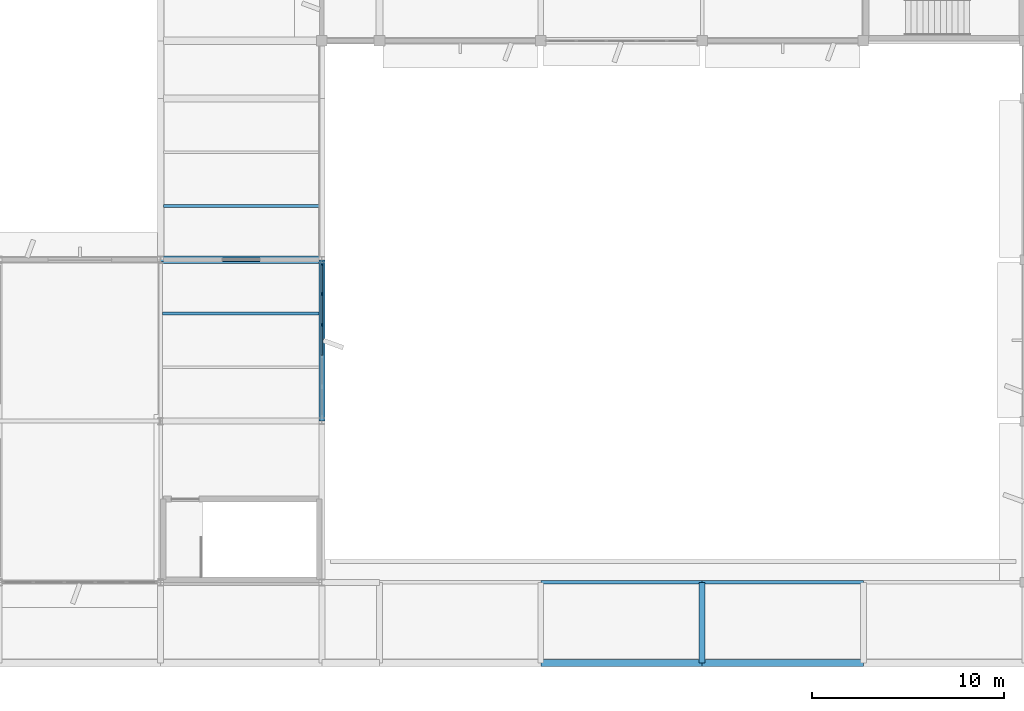
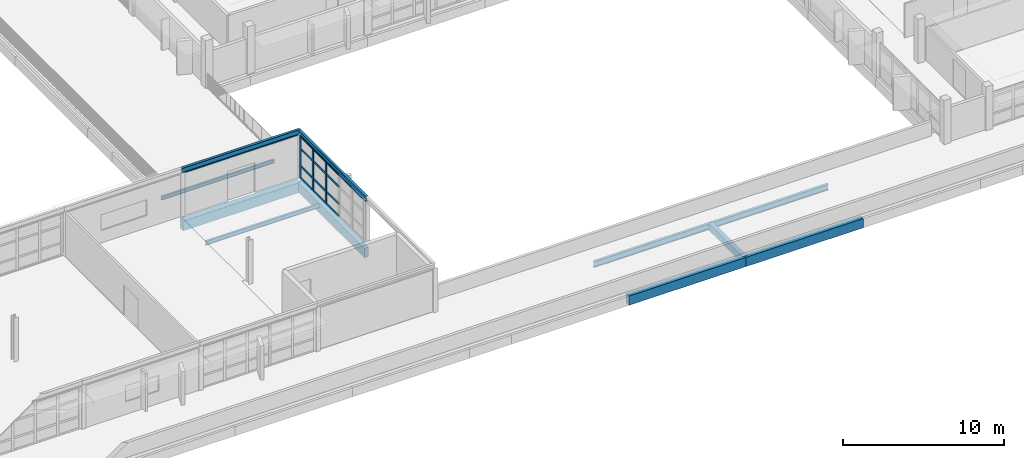
# One storey, part 8 of 92: 15 members, 11 beams, 1 element without a shape of its own.
"""IFC4 building model written with IfcOpenShell, lengths in metres."""

from ifc_helpers import new_model, si_unit, direction, frame, origin, origin_2d, place, context, subcontext, project, spatial, rectangle, i_section, extrude, material, material_profile, profile_set, type_object, element, aggregate, save


model = new_model("IFC4")

# Units and contexts
model_context = context("Model", 3, precision=1e-05, world=origin(), true_north=direction((0.0, 1.0)))
body_context = subcontext(model_context, "Body", "Model", "MODEL_VIEW")
ifc_project = project(units=[si_unit("LENGTHUNIT", "METRE"), si_unit("AREAUNIT", "SQUARE_METRE"), si_unit("VOLUMEUNIT", "CUBIC_METRE"), si_unit("PLANEANGLEUNIT", "RADIAN"), si_unit("MASSUNIT", "GRAM", prefix="KILO")], contexts=[model_context])

# Site, building, storey
site_placement = place(None, origin())
site = spatial("IfcSite", under=ifc_project, at=site_placement, CompositionType="ELEMENT")
building_placement = place(site_placement, origin())
building = spatial("IfcBuilding", under=site, at=building_placement, Name="Vanh Quang Courtyard School", CompositionType="ELEMENT")
storey_placement = place(building_placement, frame((0.0, 0.0, 7.800048828125)))
storey = spatial("IfcBuildingStorey", under=building, at=storey_placement, Name="L02", CompositionType="ELEMENT", Elevation=7.800048828125)

# Beams
ifc_material_1 = material(Name="Concrete C35/45", Category="concrete")
ifc_material_profile_1 = material_profile(ifc_material_1, rectangle(XDim=0.300048828125, YDim=0.550048828125, at=origin_2d()), Name="RC-BM 300x550")
ifc_profile_set_1 = profile_set([ifc_material_profile_1], Name="Concrete C35/45")
beam_type_1 = type_object("IfcBeamType", Name="BM-RC-300x550", PredefinedType="BEAM", material=ifc_profile_set_1)
beam_1_placement = place(storey_placement, frame((57.60009765625, 0.0, -0.4951171875), z_axis=(0.0, 1.0, 0.0), x_axis=(-1.0, 0.0, 0.0)))
element("IfcBeam", 1, at=beam_1_placement, inside=storey, type_object=beam_type_1, Name="Beam B-07 (L02)", PredefinedType="BEAM", context=body_context, shape_type="SweptSolid", body=[
    extrude(rectangle(XDim=0.300048828125, YDim=0.550048828125, at=origin_2d()), origin(), (0.0, 0.0, 1.0), 4.199951171875),
])
ifc_material_profile_2 = material_profile(ifc_material_1, rectangle(XDim=0.35009765625, YDim=0.699951171875, at=origin_2d()), Name="RC-BM 350x700")
ifc_profile_set_2 = profile_set([ifc_material_profile_2], Name="Concrete C35/45")
beam_type_2 = type_object("IfcBeamType", Name="BM-RC-350x700", PredefinedType="BEAM", material=ifc_profile_set_2)
beam_2_placement = place(storey_placement, frame((49.199951171875, 0.0, -0.570068359375), z_axis=(1.0, 0.0, 0.0), x_axis=(0.0, 1.0, 0.0)))
element("IfcBeam", 2, at=beam_2_placement, inside=storey, type_object=beam_type_2, Name="Beam B-04 (L02)", PredefinedType="BEAM", context=body_context, shape_type="SweptSolid", body=[
    extrude(rectangle(XDim=0.35009765625, YDim=0.699951171875, at=origin_2d()), origin(), (0.0, 0.0, 1.0), 8.400146484375),
])
beam_3_placement = place(storey_placement, frame((57.60009765625, 0.0, -0.570068359375), z_axis=(1.0, 0.0, 0.0), x_axis=(0.0, 1.0, 0.0)))
element("IfcBeam", 3, at=beam_3_placement, inside=storey, type_object=beam_type_2, Name="Beam B-04 (L02)", PredefinedType="BEAM", context=body_context, shape_type="SweptSolid", body=[
    extrude(rectangle(XDim=0.35009765625, YDim=0.699951171875, at=origin_2d()), origin(), (0.0, 0.0, 1.0), 8.39990234375),
])
ifc_material_profile_3 = material_profile(ifc_material_1, rectangle(XDim=0.39990234375, YDim=0.75, at=origin_2d()), Name="RC-BM 400x750")
ifc_profile_set_3 = profile_set([ifc_material_profile_3], Name="Concrete C35/45")
beam_type_3 = type_object("IfcBeamType", Name="BM-RC-400x750", PredefinedType="BEAM", material=ifc_profile_set_3)
beam_4_placement = place(storey_placement, frame((29.39990234375, 21.0, -0.695068359375), z_axis=(1.0, 0.0, 0.0), x_axis=(0.0, 1.0, 0.0)))
element("IfcBeam", 4, at=beam_4_placement, inside=storey, type_object=beam_type_3, Name="Beam B-03 (L02)", PredefinedType="BEAM", context=body_context, shape_type="SweptSolid", body=[
    extrude(rectangle(XDim=0.39990234375, YDim=0.75, at=origin_2d()), origin(), (0.0, 0.0, 1.0), 8.400146484375),
])
ifc_material_profile_4 = material_profile(ifc_material_1, rectangle(XDim=0.300048828125, YDim=0.699951171875, at=origin_2d()), Name="RC-SP 300x700")
ifc_profile_set_4 = profile_set([ifc_material_profile_4], Name="Concrete C35/45")
beam_type_4 = type_object("IfcBeamType", Name="BM-SP-300x700", PredefinedType="SPANDREL", material=ifc_profile_set_4)
beam_5_placement = place(storey_placement, frame((37.800048828125, 12.60009765625, -0.670166015625), z_axis=(0.0, 1.0, 0.0), x_axis=(-1.0, 0.0, 0.0)))
element("IfcBeam", 5, at=beam_5_placement, inside=storey, type_object=beam_type_4, Name="Beam BS-01 (L02)", PredefinedType="SPANDREL", context=body_context, shape_type="SweptSolid", body=[
    extrude(rectangle(XDim=0.300048828125, YDim=0.699951171875, at=origin_2d()), origin(), (0.0, 0.0, 1.0), 8.39990234375),
])
ifc_material_2 = material(Name="Structural steel EN 10025-2 S355J2", Category="steel")
ifc_material_profile_5 = material_profile(ifc_material_2, i_section(OverallWidth=0.179931640625, OverallDepth=0.39990234375, WebThickness=0.008544921875, FlangeThickness=0.013427734375, FilletRadius=0.02099609375, at=origin_2d()), Name="IPE 400")
ifc_profile_set_5 = profile_set([ifc_material_profile_5], Name="Structural steel EN 10025-2 S355J2")
beam_type_5 = type_object("IfcBeamType", Name="BM-STL-IPE400", PredefinedType="BEAM", material=ifc_profile_set_5)
beam_6_placement = place(storey_placement, frame((29.39990234375, 21.0, 3.39990234375), z_axis=(1.0, 0.0, 0.0), x_axis=(0.0, 1.0, 0.0)))
element("IfcBeam", 6, at=beam_6_placement, inside=storey, type_object=beam_type_5, Name="Beam SB-05 (L02)", PredefinedType="BEAM", context=body_context, shape_type="SweptSolid", body=[
    extrude(i_section(OverallWidth=0.179931640625, OverallDepth=0.39990234375, WebThickness=0.008544921875, FlangeThickness=0.013427734375, FilletRadius=0.02099609375, at=origin_2d()), origin(), (0.0, 0.0, 1.0), 8.400146484375),
])
beam_7_placement = place(storey_placement, frame((37.800048828125, 12.60009765625, 3.39990234375), z_axis=(0.0, 1.0, 0.0), x_axis=(-1.0, 0.0, 0.0)))
element("IfcBeam", 7, at=beam_7_placement, inside=storey, type_object=beam_type_5, Name="Beam SB-05 (L02)", PredefinedType="BEAM", context=body_context, shape_type="SweptSolid", body=[
    extrude(i_section(OverallWidth=0.179931640625, OverallDepth=0.39990234375, WebThickness=0.008544921875, FlangeThickness=0.013427734375, FilletRadius=0.02099609375, at=origin_2d()), origin(), (0.0, 0.0, 1.0), 8.39990234375),
])
ifc_material_profile_6 = material_profile(ifc_material_2, i_section(OverallWidth=0.18994140625, OverallDepth=0.449951171875, WebThickness=0.009521484375, FlangeThickness=0.0146484375, FilletRadius=0.02099609375, at=origin_2d()), Name="IPE 450")
ifc_profile_set_6 = profile_set([ifc_material_profile_6], Name="Structural steel EN 10025-2 S355J2")
beam_type_6 = type_object("IfcBeamType", Name="BM-STL-IPE450", PredefinedType="BEAM", material=ifc_profile_set_6)
beam_8_placement = place(storey_placement, frame((49.199951171875, 4.199951171875, -0.445068359375), z_axis=(1.0, 0.0, 0.0), x_axis=(0.0, 1.0, 0.0)))
element("IfcBeam", 8, at=beam_8_placement, inside=storey, type_object=beam_type_6, Name="Beam SB-04 (L02)", PredefinedType="BEAM", context=body_context, shape_type="SweptSolid", body=[
    extrude(i_section(OverallWidth=0.18994140625, OverallDepth=0.449951171875, WebThickness=0.009521484375, FlangeThickness=0.0146484375, FilletRadius=0.02099609375, at=origin_2d()), origin(), (0.0, 0.0, 1.0), 8.400146484375),
])
beam_9_placement = place(storey_placement, frame((57.60009765625, 4.199951171875, -0.445068359375), z_axis=(1.0, 0.0, 0.0), x_axis=(0.0, 1.0, 0.0)))
element("IfcBeam", 9, at=beam_9_placement, inside=storey, type_object=beam_type_6, Name="Beam SB-04 (L02)", PredefinedType="BEAM", context=body_context, shape_type="SweptSolid", body=[
    extrude(i_section(OverallWidth=0.18994140625, OverallDepth=0.449951171875, WebThickness=0.009521484375, FlangeThickness=0.0146484375, FilletRadius=0.02099609375, at=origin_2d()), origin(), (0.0, 0.0, 1.0), 8.39990234375),
])

# Curtain wall, members
ifc_material_3 = material(Name="Thermally broken aluminium unitised curtain wall", Category="aluminium")
curtain_wall_type = type_object("IfcCurtainWallType", Name="CW-SYS-46", PredefinedType="NOTDEFINED", material=ifc_material_3)
curtain_wall_placement = place(storey_placement, origin())
curtain_wall = element("IfcCurtainWall", 10, at=curtain_wall_placement, inside=storey, type_object=curtain_wall_type, Name="Curtain Wall CW-46 (L02)", PredefinedType="NOTDEFINED")
ifc_material_4 = material(Name="Anodised aluminium 6063-T6", Category="aluminium")
ifc_material_profile_7 = material_profile(ifc_material_4, rectangle(XDim=0.080078125, YDim=0.199951171875, at=origin_2d()), Name="ALU-MUL 80x200")
ifc_profile_set_7 = profile_set([ifc_material_profile_7], Name="Anodised aluminium 6063-T6")
member_type_1 = type_object("IfcMemberType", Name="CW-MUL-80x200", PredefinedType="MULLION", material=ifc_profile_set_7)
member_1_placement = place(storey_placement, frame((37.800048828125, 20.787109375, 0.0), z_axis=(0.0, 0.0, 1.0), x_axis=(1.0, 0.0, 0.0)))
member_1 = element("IfcMember", 11, at=member_1_placement, type_object=member_type_1, Name="CW-46 mullion 1", PredefinedType="MULLION", context=body_context, shape_type="SweptSolid", body=[
    extrude(rectangle(XDim=0.080078125, YDim=0.199951171875, at=origin_2d()), origin(), (0.0, 0.0, 1.0), 3.199951171875),
])
member_2_placement = place(storey_placement, frame((37.800048828125, 19.21630859375, 0.0), z_axis=(0.0, 0.0, 1.0), x_axis=(1.0, 0.0, 0.0)))
member_2 = element("IfcMember", 12, at=member_2_placement, type_object=member_type_1, Name="CW-46 mullion 2", PredefinedType="MULLION", context=body_context, shape_type="SweptSolid", body=[
    extrude(rectangle(XDim=0.080078125, YDim=0.199951171875, at=origin_2d()), origin(), (0.0, 0.0, 1.0), 3.199951171875),
])
member_3_placement = place(storey_placement, frame((37.800048828125, 17.60546875, 0.0), z_axis=(0.0, 0.0, 1.0), x_axis=(1.0, 0.0, 0.0)))
member_3 = element("IfcMember", 13, at=member_3_placement, type_object=member_type_1, Name="CW-46 mullion 3", PredefinedType="MULLION", context=body_context, shape_type="SweptSolid", body=[
    extrude(rectangle(XDim=0.080078125, YDim=0.199951171875, at=origin_2d()), origin(), (0.0, 0.0, 1.0), 3.199951171875),
])
ifc_material_profile_8 = material_profile(ifc_material_4, rectangle(XDim=0.080078125, YDim=0.14990234375, at=origin_2d()), Name="ALU-TRN 80x150")
ifc_profile_set_8 = profile_set([ifc_material_profile_8], Name="Anodised aluminium 6063-T6")
member_type_2 = type_object("IfcMemberType", Name="CW-TRN-80x150", PredefinedType="USERDEFINED", material=ifc_profile_set_8)
member_4_placement = place(storey_placement, frame((37.800048828125, 20.7470703125, 0.0400390625), z_axis=(0.0, -1.0, 0.0), x_axis=(1.0, 0.0, 0.0)))
member_4 = element("IfcMember", 14, at=member_4_placement, type_object=member_type_2, Name="CW-46 transom 1.1", ObjectType="TRANSOM", PredefinedType="USERDEFINED", context=body_context, shape_type="SweptSolid", body=[
    extrude(rectangle(XDim=0.080078125, YDim=0.14990234375, at=origin_2d()), origin(), (0.0, 0.0, 1.0), 1.490966796875),
])
member_5_placement = place(storey_placement, frame((37.800048828125, 20.7470703125, 0.949951171875), z_axis=(0.0, -1.0, 0.0), x_axis=(1.0, 0.0, 0.0)))
member_5 = element("IfcMember", 15, at=member_5_placement, type_object=member_type_2, Name="CW-46 transom 1.2", ObjectType="TRANSOM", PredefinedType="USERDEFINED", context=body_context, shape_type="SweptSolid", body=[
    extrude(rectangle(XDim=0.080078125, YDim=0.14990234375, at=origin_2d()), origin(), (0.0, 0.0, 1.0), 1.490966796875),
])
member_6_placement = place(storey_placement, frame((37.800048828125, 20.7470703125, 2.25), z_axis=(0.0, -1.0, 0.0), x_axis=(1.0, 0.0, 0.0)))
member_6 = element("IfcMember", 16, at=member_6_placement, type_object=member_type_2, Name="CW-46 transom 1.3", ObjectType="TRANSOM", PredefinedType="USERDEFINED", context=body_context, shape_type="SweptSolid", body=[
    extrude(rectangle(XDim=0.080078125, YDim=0.14990234375, at=origin_2d()), origin(), (0.0, 0.0, 1.0), 1.490966796875),
])
member_7_placement = place(storey_placement, frame((37.800048828125, 20.7470703125, 3.159912109375), z_axis=(0.0, -1.0, 0.0), x_axis=(1.0, 0.0, 0.0)))
member_7 = element("IfcMember", 17, at=member_7_placement, type_object=member_type_2, Name="CW-46 transom 1.4", ObjectType="TRANSOM", PredefinedType="USERDEFINED", context=body_context, shape_type="SweptSolid", body=[
    extrude(rectangle(XDim=0.080078125, YDim=0.14990234375, at=origin_2d()), origin(), (0.0, 0.0, 1.0), 1.490966796875),
])
member_8_placement = place(storey_placement, frame((37.800048828125, 19.17626953125, 0.0400390625), z_axis=(0.0, -1.0, 0.0), x_axis=(1.0, 0.0, 0.0)))
member_8 = element("IfcMember", 18, at=member_8_placement, type_object=member_type_2, Name="CW-46 transom 2.1", ObjectType="TRANSOM", PredefinedType="USERDEFINED", context=body_context, shape_type="SweptSolid", body=[
    extrude(rectangle(XDim=0.080078125, YDim=0.14990234375, at=origin_2d()), origin(), (0.0, 0.0, 1.0), 1.53076171875),
])
member_9_placement = place(storey_placement, frame((37.800048828125, 19.17626953125, 0.949951171875), z_axis=(0.0, -1.0, 0.0), x_axis=(1.0, 0.0, 0.0)))
member_9 = element("IfcMember", 19, at=member_9_placement, type_object=member_type_2, Name="CW-46 transom 2.2", ObjectType="TRANSOM", PredefinedType="USERDEFINED", context=body_context, shape_type="SweptSolid", body=[
    extrude(rectangle(XDim=0.080078125, YDim=0.14990234375, at=origin_2d()), origin(), (0.0, 0.0, 1.0), 1.53076171875),
])
member_10_placement = place(storey_placement, frame((37.800048828125, 19.17626953125, 2.25), z_axis=(0.0, -1.0, 0.0), x_axis=(1.0, 0.0, 0.0)))
member_10 = element("IfcMember", 20, at=member_10_placement, type_object=member_type_2, Name="CW-46 transom 2.3", ObjectType="TRANSOM", PredefinedType="USERDEFINED", context=body_context, shape_type="SweptSolid", body=[
    extrude(rectangle(XDim=0.080078125, YDim=0.14990234375, at=origin_2d()), origin(), (0.0, 0.0, 1.0), 1.53076171875),
])
member_11_placement = place(storey_placement, frame((37.800048828125, 19.17626953125, 3.159912109375), z_axis=(0.0, -1.0, 0.0), x_axis=(1.0, 0.0, 0.0)))
member_11 = element("IfcMember", 21, at=member_11_placement, type_object=member_type_2, Name="CW-46 transom 2.4", ObjectType="TRANSOM", PredefinedType="USERDEFINED", context=body_context, shape_type="SweptSolid", body=[
    extrude(rectangle(XDim=0.080078125, YDim=0.14990234375, at=origin_2d()), origin(), (0.0, 0.0, 1.0), 1.53076171875),
])
member_12_placement = place(storey_placement, frame((37.800048828125, 17.5654296875, 0.0400390625), z_axis=(0.0, -1.0, 0.0), x_axis=(1.0, 0.0, 0.0)))
member_12 = element("IfcMember", 22, at=member_12_placement, type_object=member_type_2, Name="CW-46 transom 3.1", ObjectType="TRANSOM", PredefinedType="USERDEFINED", context=body_context, shape_type="SweptSolid", body=[
    extrude(rectangle(XDim=0.080078125, YDim=0.14990234375, at=origin_2d()), origin(), (0.0, 0.0, 1.0), 1.53076171875),
])
member_13_placement = place(storey_placement, frame((37.800048828125, 17.5654296875, 0.949951171875), z_axis=(0.0, -1.0, 0.0), x_axis=(1.0, 0.0, 0.0)))
member_13 = element("IfcMember", 23, at=member_13_placement, type_object=member_type_2, Name="CW-46 transom 3.2", ObjectType="TRANSOM", PredefinedType="USERDEFINED", context=body_context, shape_type="SweptSolid", body=[
    extrude(rectangle(XDim=0.080078125, YDim=0.14990234375, at=origin_2d()), origin(), (0.0, 0.0, 1.0), 1.53076171875),
])
member_14_placement = place(storey_placement, frame((37.800048828125, 17.5654296875, 2.25), z_axis=(0.0, -1.0, 0.0), x_axis=(1.0, 0.0, 0.0)))
member_14 = element("IfcMember", 24, at=member_14_placement, type_object=member_type_2, Name="CW-46 transom 3.3", ObjectType="TRANSOM", PredefinedType="USERDEFINED", context=body_context, shape_type="SweptSolid", body=[
    extrude(rectangle(XDim=0.080078125, YDim=0.14990234375, at=origin_2d()), origin(), (0.0, 0.0, 1.0), 1.53076171875),
])
member_15_placement = place(storey_placement, frame((37.800048828125, 17.5654296875, 3.159912109375), z_axis=(0.0, -1.0, 0.0), x_axis=(1.0, 0.0, 0.0)))
member_15 = element("IfcMember", 25, at=member_15_placement, type_object=member_type_2, Name="CW-46 transom 3.4", ObjectType="TRANSOM", PredefinedType="USERDEFINED", context=body_context, shape_type="SweptSolid", body=[
    extrude(rectangle(XDim=0.080078125, YDim=0.14990234375, at=origin_2d()), origin(), (0.0, 0.0, 1.0), 1.53076171875),
])
aggregate(curtain_wall, [member_1, member_2, member_3, member_4, member_5, member_6, member_7, member_8, member_9, member_10, member_11, member_12, member_13, member_14, member_15])

# Beams
ifc_material_profile_9 = material_profile(ifc_material_2, i_section(OverallWidth=0.135009765625, OverallDepth=0.27001953125, WebThickness=0.006591796875, FlangeThickness=0.01025390625, FilletRadius=0.014892578125, at=origin_2d()), Name="IPE 270")
ifc_profile_set_9 = profile_set([ifc_material_profile_9], Name="Structural steel EN 10025-2 S355J2")
beam_type_7 = type_object("IfcBeamType", Name="JST-STL-IPE270", PredefinedType="JOIST", material=ifc_profile_set_9)
beam_10_placement = place(storey_placement, frame((29.550048828125, 23.800048828125, -0.455078125), z_axis=(1.0, 0.0, 0.0), x_axis=(0.0, 1.0, 0.0)))
element("IfcBeam", 26, at=beam_10_placement, inside=storey, type_object=beam_type_7, Name="Beam SJ-03 (L02)", PredefinedType="JOIST", context=body_context, shape_type="SweptSolid", body=[
    extrude(i_section(OverallWidth=0.135009765625, OverallDepth=0.27001953125, WebThickness=0.006591796875, FlangeThickness=0.01025390625, FilletRadius=0.014892578125, at=origin_2d()), origin(), (0.0, 0.0, 1.0), 8.099853515625),
])
ifc_material_profile_10 = material_profile(ifc_material_2, i_section(OverallWidth=0.14990234375, OverallDepth=0.300048828125, WebThickness=0.007080078125, FlangeThickness=0.0107421875, FilletRadius=0.014892578125, at=origin_2d()), Name="IPE 300")
ifc_profile_set_10 = profile_set([ifc_material_profile_10], Name="Structural steel EN 10025-2 S355J2")
beam_type_8 = type_object("IfcBeamType", Name="JST-STL-IPE300", PredefinedType="JOIST", material=ifc_profile_set_10)
beam_11_placement = place(storey_placement, frame((29.489990234375, 18.199951171875, -0.429931640625), z_axis=(1.0, 0.0, 0.0), x_axis=(0.0, 1.0, 0.0)))
element("IfcBeam", 27, at=beam_11_placement, inside=storey, type_object=beam_type_8, Name="Beam SJ-02 (L02)", PredefinedType="JOIST", context=body_context, shape_type="SweptSolid", body=[
    extrude(i_section(OverallWidth=0.14990234375, OverallDepth=0.300048828125, WebThickness=0.007080078125, FlangeThickness=0.0107421875, FilletRadius=0.014892578125, at=origin_2d()), origin(), (0.0, 0.0, 1.0), 8.159912109375),
])

save(model, "model.ifc")
